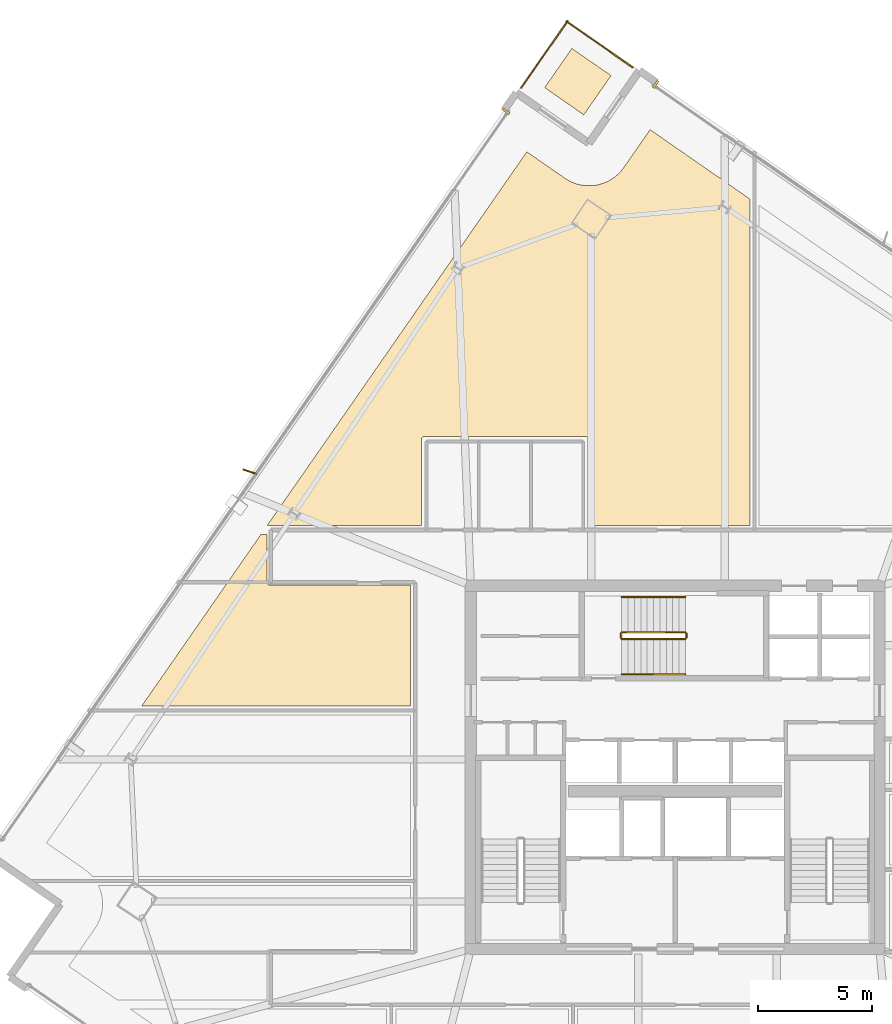
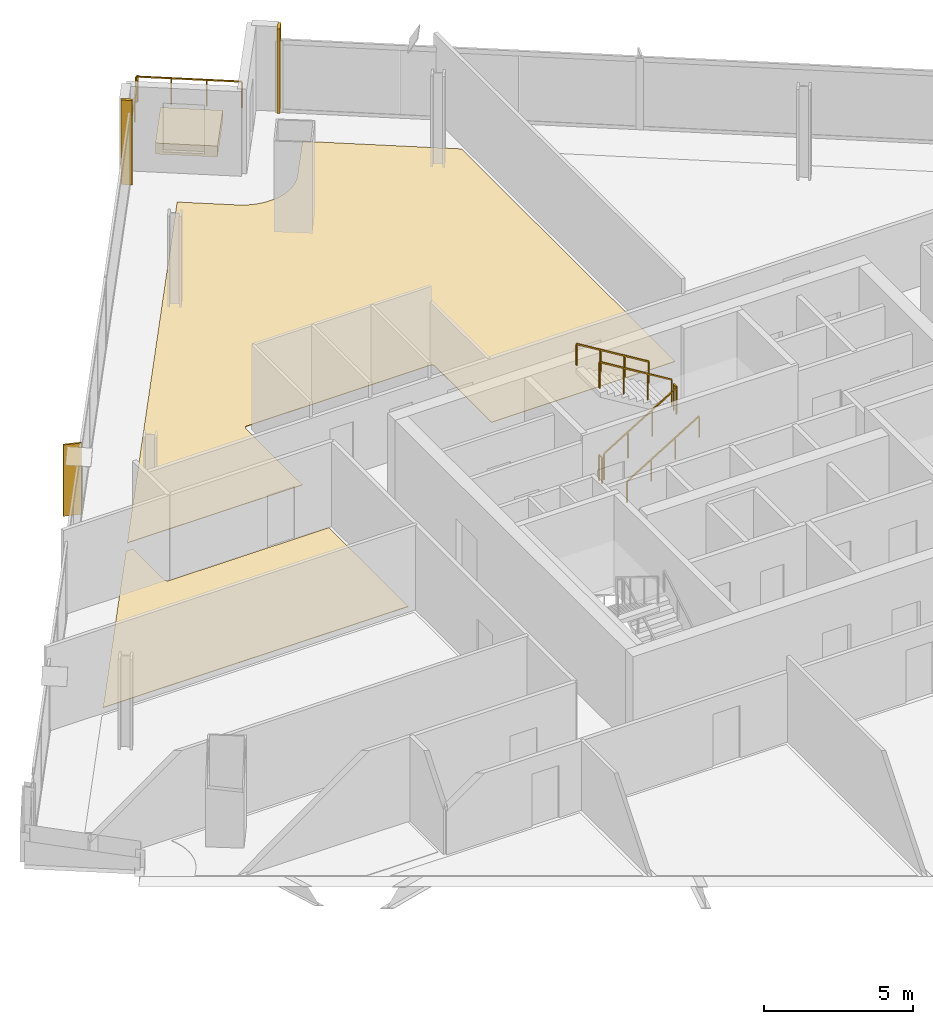
# One storey, part 29 of 30: 8 railings, 5 coverings, 1 shading device.
"""IFC4 building model written with IfcOpenShell, lengths in metres."""

from ifc_helpers import new_model, si_unit, direction, frame, origin, origin_2d, place, context, subcontext, project, spatial, polyline, rectangle, outline, extrude, source, transform, mapped, material, layer, layer_set, type_object, element, save


model = new_model("IFC4")

# Units and contexts
model_context = context("Model", 3, precision=1e-05, world=origin(), true_north=direction((0.0, 1.0)))
body_context = subcontext(model_context, "Body", "Model", "MODEL_VIEW")
ifc_project = project(units=[si_unit("LENGTHUNIT", "METRE"), si_unit("AREAUNIT", "SQUARE_METRE"), si_unit("VOLUMEUNIT", "CUBIC_METRE"), si_unit("PLANEANGLEUNIT", "RADIAN"), si_unit("MASSUNIT", "GRAM", prefix="KILO")], contexts=[model_context])

# Site, building, storey
site_placement = place(None, origin())
site = spatial("IfcSite", under=ifc_project, at=site_placement, CompositionType="ELEMENT")
building_placement = place(site_placement, origin())
building = spatial("IfcBuilding", under=site, at=building_placement, Name="Haldenkirk Collegiate Tower", CompositionType="ELEMENT")
storey_placement = place(building_placement, frame((0.0, 0.0, 213.449951171875)))
storey = spatial("IfcBuildingStorey", under=building, at=storey_placement, Name="L53", CompositionType="ELEMENT", Elevation=213.449951171875)

# Coverings
ifc_material_1 = material(Name="Engineered collegiate oak acoustic flooring", Category="wood")
ifc_layer_1 = layer(ifc_material_1, 0.02197265625)
ifc_layer_set_1 = layer_set([ifc_layer_1], Name="Engineered collegiate oak acoustic flooring")
covering_type_1 = type_object("IfcCoveringType", Name="COV-FLOOR-TIMBER", PredefinedType="FLOORING", material=ifc_layer_set_1)
covering_1_placement = place(storey_placement, origin())
element("IfcCovering", 1, at=covering_1_placement, inside=storey, type_object=covering_type_1, Name="L53 academic room finish 05", PredefinedType="FLOORING", context=body_context, shape_type="SweptSolid", body=[
    extrude(outline(polyline([(31.1376953125, 51.9453125), (31.142578125, 51.942138671875), (31.288330078125, 51.85107421875), (31.298583984375, 51.845458984375), (31.452392578125, 51.76904296875), (31.46337890625, 51.764404296875), (31.623779296875, 51.70361328125), (31.63525390625, 51.699951171875), (31.801025390625, 51.6552734375), (31.8125, 51.652587890625), (31.981689453125, 51.62451171875), (31.993408203125, 51.623046875), (32.164794921875, 51.611572265625), (32.1767578125, 51.611328125), (32.348388671875, 51.61669921875), (32.360107421875, 51.617431640625), (32.5302734375, 51.6396484375), (32.5419921875, 51.6416015625), (32.709228515625, 51.680419921875), (32.720458984375, 51.68359375), (32.88330078125, 51.73828125), (32.894287109375, 51.74267578125), (33.05078125, 51.813232421875), (33.061279296875, 51.818603515625), (33.210205078125, 51.904296875), (33.22021484375, 51.91064453125), (33.35986328125, 52.01025390625), (33.369140625, 52.017578125), (33.49853515625, 52.130615234375), (33.507080078125, 52.138916015625), (33.62451171875, 52.263916015625), (33.63232421875, 52.27294921875), (33.737060546875, 52.408935546875), (33.740478515625, 52.413818359375), (34.89892578125, 54.08056640625), (39.300048828125, 51.021728515625), (39.300048828125, 36.64990234375), (32.169921875, 36.64990234375), (32.169921875, 40.449951171875), (32.16943359375, 40.4619140625), (32.167724609375, 40.473388671875), (32.164794921875, 40.48486328125), (32.160888671875, 40.495849609375), (32.15576171875, 40.506591796875), (32.14990234375, 40.5166015625), (32.142822265625, 40.526123046875), (32.135009765625, 40.534912109375), (32.126220703125, 40.542724609375), (32.11669921875, 40.5498046875), (32.106689453125, 40.555908203125), (32.095947265625, 40.560791015625), (32.084716796875, 40.564697265625), (32.073486328125, 40.567626953125), (32.061767578125, 40.5693359375), (32.050048828125, 40.570068359375), (24.949951171875, 40.570068359375), (24.938232421875, 40.5693359375), (24.926513671875, 40.567626953125), (24.915283203125, 40.564697265625), (24.904052734375, 40.560791015625), (24.893310546875, 40.555908203125), (24.88330078125, 40.5498046875), (24.873779296875, 40.542724609375), (24.864990234375, 40.534912109375), (24.857177734375, 40.526123046875), (24.85009765625, 40.5166015625), (24.84423828125, 40.506591796875), (24.839111328125, 40.495849609375), (24.835205078125, 40.48486328125), (24.832275390625, 40.473388671875), (24.83056640625, 40.4619140625), (24.830078125, 40.449951171875), (24.830078125, 36.64990234375), (18.034912109375, 36.64990234375), (29.470947265625, 53.10400390625), (31.1376953125, 51.9453125)])), origin(), (0.0, 0.0, 1.0), 0.02197265625),
])
covering_2_placement = place(storey_placement, origin())
element("IfcCovering", 2, at=covering_2_placement, inside=storey, type_object=covering_type_1, Name="L53 academic room finish 09", PredefinedType="FLOORING", context=body_context, shape_type="SweptSolid", body=[
    extrude(outline(polyline([(17.757080078125, 36.25), (18.030029296875, 36.25), (18.030029296875, 34.14990234375), (18.030517578125, 34.13818359375), (18.0322265625, 34.126708984375), (18.03515625, 34.115234375), (18.0390625, 34.10400390625), (18.044189453125, 34.093505859375), (18.05029296875, 34.083251953125), (18.05712890625, 34.073974609375), (18.065185546875, 34.065185546875), (18.073974609375, 34.05712890625), (18.083251953125, 34.05029296875), (18.093505859375, 34.044189453125), (18.10400390625, 34.0390625), (18.115234375, 34.03515625), (18.126708984375, 34.0322265625), (18.13818359375, 34.030517578125), (18.14990234375, 34.030029296875), (24.35009765625, 34.030029296875), (24.35009765625, 28.699951171875), (12.509521484375, 28.699951171875), (17.757080078125, 36.25)])), origin(), (0.0, 0.0, 1.0), 0.02197265625),
])
ifc_material_2 = material(Name="Precast concrete f'c 40 MPa", Category="concrete")
ifc_layer_2 = layer(ifc_material_2, 0.449951171875)
ifc_layer_set_2 = layer_set([ifc_layer_2], Name="Precast concrete f'c 40 MPa")
covering_type_2 = type_object("IfcCoveringType", Name="COV-PLANTER-450", PredefinedType="USERDEFINED", material=ifc_layer_set_2)
covering_3_placement = place(storey_placement, origin())
element("IfcCovering", 3, at=covering_3_placement, inside=storey, type_object=covering_type_2, Name="L53 planted garden planter bed", ObjectType="PLANTER", PredefinedType="USERDEFINED", context=body_context, shape_type="SweptSolid", body=[
    extrude(outline(polyline([(31.9794921875, 54.733642578125), (30.255126953125, 55.931884765625), (31.45361328125, 57.656494140625), (33.177978515625, 56.4580078125), (31.9794921875, 54.733642578125)])), origin(), (0.0, 0.0, 1.0), 0.449951171875),
])

# Railings
ifc_material_3 = material(Name="Painted architectural tubular steel", Category="steel")
railing_type_1 = type_object("IfcRailingType", Name="RLG-STAIR-GUARD-1100", PredefinedType="BALUSTRADE", material=ifc_material_3)
railing_1_placement = place(storey_placement, frame((33.64990234375, 31.64990234375, 0.17041015625)))
element("IfcRailing", 4, at=railing_1_placement, inside=storey, type_object=railing_type_1, Name="L53 ST-3 stair guard 1", PredefinedType="BALUSTRADE", context=body_context, shape_type="SweptSolid", body=[
    extrude(rectangle(XDim=0.048095703125, YDim=0.048095703125, at=origin_2d()), frame((0.0, 0.0, 1.076171875), z_axis=(0.854169791009, 0.0, 0.51999420009), x_axis=(0.0, 1.0, 0.0)), (0.0, 0.0, 1.0), 3.278076171875),
    extrude(rectangle(XDim=0.0419921875, YDim=0.0419921875, at=origin_2d()), origin(), (0.0, 0.0, 1.0), 1.052001953125),
    extrude(rectangle(XDim=0.0419921875, YDim=0.0419921875, at=origin_2d()), frame((0.933349609375, 0.0, 0.568115234375)), (0.0, 0.0, 1.0), 1.052001953125),
    extrude(rectangle(XDim=0.0419921875, YDim=0.0419921875, at=origin_2d()), frame((1.86669921875, 0.0, 1.136474609375)), (0.0, 0.0, 1.0), 1.052001953125),
    extrude(rectangle(XDim=0.0419921875, YDim=0.0419921875, at=origin_2d()), frame((2.800048828125, 0.0, 1.70458984375)), (0.0, 0.0, 1.0), 1.052001953125),
])
railing_2_placement = place(storey_placement, frame((36.5, 31.699951171875, 1.875)))
element("IfcRailing", 5, at=railing_2_placement, inside=storey, type_object=railing_type_1, Name="L53 ST-3 stair guard 2", PredefinedType="BALUSTRADE", context=body_context, shape_type="SweptSolid", body=[
    extrude(rectangle(XDim=0.048095703125, YDim=0.048095703125, at=origin_2d()), frame((0.0, 0.0, 1.076171875), z_axis=(0.0, 1.0, 0.0), x_axis=(-1.0, 0.0, 0.0)), (0.0, 0.0, 1.0), 0.199951171875),
    extrude(rectangle(XDim=0.0419921875, YDim=0.0419921875, at=origin_2d()), origin(), (0.0, 0.0, 1.0), 1.052001953125),
    extrude(rectangle(XDim=0.0419921875, YDim=0.0419921875, at=origin_2d()), frame((0.0, 0.199951171875, 0.0)), (0.0, 0.0, 1.0), 1.052001953125),
])
railing_3_placement = place(storey_placement, frame((36.449951171875, 31.949951171875, 2.04541015625)))
element("IfcRailing", 6, at=railing_3_placement, inside=storey, type_object=railing_type_1, Name="L53 ST-3 stair guard 3", PredefinedType="BALUSTRADE", context=body_context, shape_type="SweptSolid", body=[
    extrude(rectangle(XDim=0.048095703125, YDim=0.048095703125, at=origin_2d()), frame((0.0, 0.0, 1.076171875), z_axis=(-0.854169791009, 0.0, 0.51999420009), x_axis=(0.0, -1.0, 0.0)), (0.0, 0.0, 1.0), 3.278076171875),
    extrude(rectangle(XDim=0.0419921875, YDim=0.0419921875, at=origin_2d()), origin(), (0.0, 0.0, 1.0), 1.052001953125),
    extrude(rectangle(XDim=0.0419921875, YDim=0.0419921875, at=origin_2d()), frame((-0.933349609375, 0.0, 0.568115234375)), (0.0, 0.0, 1.0), 1.052001953125),
    extrude(rectangle(XDim=0.0419921875, YDim=0.0419921875, at=origin_2d()), frame((-1.86669921875, 0.0, 1.136474609375)), (0.0, 0.0, 1.0), 1.052001953125),
    extrude(rectangle(XDim=0.0419921875, YDim=0.0419921875, at=origin_2d()), frame((-2.800048828125, 0.0, 1.70458984375)), (0.0, 0.0, 1.0), 1.052001953125),
])
railing_4_placement = place(storey_placement, frame((33.60009765625, 31.699951171875, 0.0)))
element("IfcRailing", 7, at=railing_4_placement, inside=storey, type_object=railing_type_1, Name="L53 ST-3 stair guard 4", PredefinedType="BALUSTRADE", context=body_context, shape_type="SweptSolid", body=[
    extrude(rectangle(XDim=0.048095703125, YDim=0.048095703125, at=origin_2d()), frame((0.0, 0.0, 1.076171875), z_axis=(0.0, 1.0, 0.0), x_axis=(-1.0, 0.0, 0.0)), (0.0, 0.0, 1.0), 0.199951171875),
    extrude(rectangle(XDim=0.0419921875, YDim=0.0419921875, at=origin_2d()), origin(), (0.0, 0.0, 1.0), 1.052001953125),
    extrude(rectangle(XDim=0.0419921875, YDim=0.0419921875, at=origin_2d()), frame((0.0, 0.199951171875, 0.0)), (0.0, 0.0, 1.0), 1.052001953125),
])
railing_type_2 = type_object("IfcRailingType", Name="RLG-STAIR-HANDRAIL-900", PredefinedType="HANDRAIL", material=ifc_material_3)
railing_5_placement = place(storey_placement, frame((33.64990234375, 30.10009765625, 0.17041015625)))
element("IfcRailing", 8, at=railing_5_placement, inside=storey, type_object=railing_type_2, Name="L53 ST-3 stair handrail 1", PredefinedType="HANDRAIL", context=body_context, shape_type="SweptSolid", body=[
    extrude(rectangle(XDim=0.048095703125, YDim=0.048095703125, at=origin_2d()), frame((0.0, 0.0, 0.8759765625), z_axis=(0.854169791009, 0.0, 0.51999420009), x_axis=(0.0, 1.0, 0.0)), (0.0, 0.0, 1.0), 3.278076171875),
    extrude(rectangle(XDim=0.0419921875, YDim=0.0419921875, at=origin_2d()), origin(), (0.0, 0.0, 1.0), 0.851806640625),
    extrude(rectangle(XDim=0.0419921875, YDim=0.0419921875, at=origin_2d()), frame((0.933349609375, 0.0, 0.568115234375)), (0.0, 0.0, 1.0), 0.851806640625),
    extrude(rectangle(XDim=0.0419921875, YDim=0.0419921875, at=origin_2d()), frame((1.86669921875, 0.0, 1.136474609375)), (0.0, 0.0, 1.0), 0.851806640625),
    extrude(rectangle(XDim=0.0419921875, YDim=0.0419921875, at=origin_2d()), frame((2.800048828125, 0.0, 1.70458984375)), (0.0, 0.0, 1.0), 0.851806640625),
])
railing_6_placement = place(storey_placement, frame((36.449951171875, 33.5, 2.04541015625)))
element("IfcRailing", 9, at=railing_6_placement, inside=storey, type_object=railing_type_2, Name="L53 ST-3 stair handrail 2", PredefinedType="HANDRAIL", context=body_context, shape_type="SweptSolid", body=[
    extrude(rectangle(XDim=0.048095703125, YDim=0.048095703125, at=origin_2d()), frame((0.0, 0.0, 0.8759765625), z_axis=(-0.854169791009, 0.0, 0.51999420009), x_axis=(0.0, -1.0, 0.0)), (0.0, 0.0, 1.0), 3.278076171875),
    extrude(rectangle(XDim=0.0419921875, YDim=0.0419921875, at=origin_2d()), origin(), (0.0, 0.0, 1.0), 0.851806640625),
    extrude(rectangle(XDim=0.0419921875, YDim=0.0419921875, at=origin_2d()), frame((-0.933349609375, 0.0, 0.568115234375)), (0.0, 0.0, 1.0), 0.851806640625),
    extrude(rectangle(XDim=0.0419921875, YDim=0.0419921875, at=origin_2d()), frame((-1.86669921875, 0.0, 1.136474609375)), (0.0, 0.0, 1.0), 0.851806640625),
    extrude(rectangle(XDim=0.0419921875, YDim=0.0419921875, at=origin_2d()), frame((-2.800048828125, 0.0, 1.70458984375)), (0.0, 0.0, 1.0), 0.851806640625),
])
ifc_material_4 = material(Name="Anodised architectural bronze aluminium", Category="aluminium")
railing_type_3 = type_object("IfcRailingType", Name="RLG-TERR-BALUSTRADE-1100", PredefinedType="BALUSTRADE", material=ifc_material_4)
railing_7_placement = place(storey_placement, frame((34.1337890625, 56.816650390625, 0.0)))
element("IfcRailing", 10, at=railing_7_placement, inside=storey, type_object=railing_type_3, Name="L53 terrace guard balustrade 2-1", PredefinedType="BALUSTRADE", context=body_context, shape_type="SweptSolid", body=[
    extrude(rectangle(XDim=0.048095703125, YDim=0.048095703125, at=origin_2d()), frame((0.0, 0.0, 1.076171875), z_axis=(-0.821140037033, 0.570726764382, 0.0), x_axis=(-0.570726764382, -0.821140037033, 0.0)), (0.0, 0.0, 1.0), 3.580078125),
    extrude(rectangle(XDim=0.0419921875, YDim=0.0419921875, at=origin_2d()), origin(), (0.0, 0.0, 1.0), 1.052001953125),
    extrude(rectangle(XDim=0.0419921875, YDim=0.0419921875, at=origin_2d()), frame((-0.97998046875, 0.68115234375, 0.0)), (0.0, 0.0, 1.0), 1.052001953125),
    extrude(rectangle(XDim=0.0419921875, YDim=0.0419921875, at=origin_2d()), frame((-1.959716796875, 1.362060546875, 0.0)), (0.0, 0.0, 1.0), 1.052001953125),
    extrude(rectangle(XDim=0.0419921875, YDim=0.0419921875, at=origin_2d()), frame((-2.939697265625, 2.043212890625, 0.0)), (0.0, 0.0, 1.0), 1.052001953125),
])
railing_8_placement = place(storey_placement, frame((31.277587890625, 58.875, 0.0)))
element("IfcRailing", 11, at=railing_8_placement, inside=storey, type_object=railing_type_3, Name="L53 terrace guard balustrade 3-1", PredefinedType="BALUSTRADE", context=body_context, shape_type="SweptSolid", body=[
    extrude(rectangle(XDim=0.048095703125, YDim=0.048095703125, at=origin_2d()), frame((0.0, 0.0, 1.076171875), z_axis=(-0.570694806228, -0.821162248368, 0.0), x_axis=(0.821162248368, -0.570694806228, 0.0)), (0.0, 0.0, 1.0), 3.580322265625),
    extrude(rectangle(XDim=0.0419921875, YDim=0.0419921875, at=origin_2d()), origin(), (0.0, 0.0, 1.0), 1.052001953125),
    extrude(rectangle(XDim=0.0419921875, YDim=0.0419921875, at=origin_2d()), frame((-0.68115234375, -0.97998046875, 0.0)), (0.0, 0.0, 1.0), 1.052001953125),
    extrude(rectangle(XDim=0.0419921875, YDim=0.0419921875, at=origin_2d()), frame((-1.362060546875, -1.9599609375, 0.0)), (0.0, 0.0, 1.0), 1.052001953125),
    extrude(rectangle(XDim=0.0419921875, YDim=0.0419921875, at=origin_2d()), frame((-2.043212890625, -2.93994140625, 0.0)), (0.0, 0.0, 1.0), 1.052001953125),
])

# Coverings
ifc_layer_3 = layer(ifc_material_4, 0.06005859375)
ifc_layer_set_3 = layer_set([ifc_layer_3], Name="Anodised architectural bronze aluminium")
covering_type_3 = type_object("IfcCoveringType", Name="COV-CLAD-BRONZE-60", PredefinedType="CLADDING", material=ifc_layer_set_3)
shared_shape_1 = source(origin(), body_context, "Body", "SweptSolid", [
    extrude(rectangle(XDim=0.10009765625, YDim=0.3798828125, at=origin_2d()), origin(), (0.0, 0.0, 1.0), 3.469970703125),
])
for number, where, z_axis, x_axis, name in (
    (12, (35.14306640625, 56.07861328125, 0.0), (0.0, 0.0, 1.0), (0.821149209134, -0.570713567684, 0.0), "L53 recessed curtain-wall bronze jamb closure EJL"),
    (13, (28.545654296875, 54.8916015625, 0.0), (0.0, 0.0, 1.0), (0.570713567684, 0.821149209134, 0.0), "L53 recessed curtain-wall bronze jamb closure NJR"),
):
    element("IfcCovering", number, at=place(storey_placement, frame(where, z_axis=z_axis, x_axis=x_axis)), inside=storey, type_object=covering_type_3, Name=name, PredefinedType="CLADDING", context=body_context, shape_type="MappedRepresentation", body=[
        mapped(shared_shape_1, transform((0.0, 0.0, 0.0), x_axis=(1.0, 0.0, 0.0), y_axis=(0.0, 1.0, 0.0), z_axis=(0.0, 0.0, 1.0), scale=1.0)),
    ])

# Shading device
ifc_layer_4 = layer(ifc_material_4, 0.06494140625)
ifc_layer_set_4 = layer_set([ifc_layer_4], Name="Anodised architectural bronze aluminium")
shading_device_type = type_object("IfcShadingDeviceType", Name="SHD-FIN-BRONZE-620", PredefinedType="USERDEFINED", material=ifc_layer_set_4)
shared_shape_2 = source(origin(), body_context, "Body", "SweptSolid", [
    extrude(rectangle(XDim=0.6201171875, YDim=0.06494140625, at=origin_2d()), origin(), (0.0, 0.0, 1.0), 2.927978515625),
])
shading_device_placement = place(storey_placement, frame((17.265380859375, 39.02099609375, 0.0), z_axis=(0.0, 0.0, 1.0), x_axis=(-0.946649260116, 0.322265695231, 0.0)))
element("IfcShadingDevice", 14, at=shading_device_placement, inside=storey, type_object=shading_device_type, Name="L53 folded bronze solar fin 1", ObjectType="FIN", PredefinedType="USERDEFINED", context=body_context, shape_type="MappedRepresentation", body=[
    mapped(shared_shape_2, transform((0.0, 0.0, 0.0), x_axis=(1.0, 0.0, 0.0), y_axis=(0.0, 1.0, 0.0), z_axis=(0.0, 0.0, 1.0), scale=1.0)),
])

save(model, "model.ifc")
